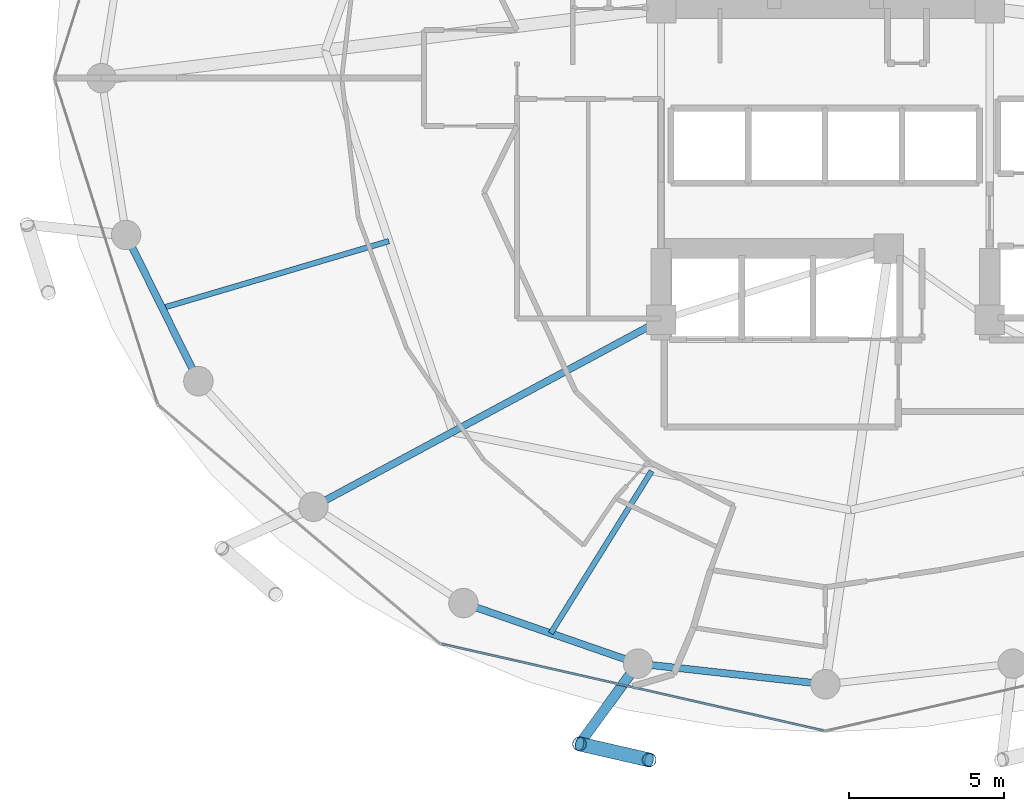
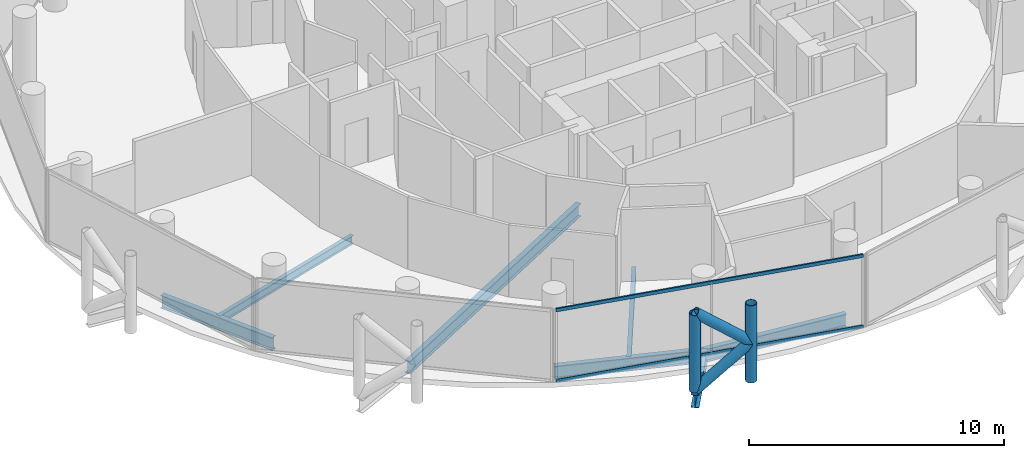
# One storey, part 3 of 26: 7 beams, 6 members, 1 element without a shape of its own.
"""IFC4 building model written with IfcOpenShell, lengths in metres."""

from ifc_helpers import new_model, si_unit, direction, frame, origin, origin_2d, place, context, subcontext, project, spatial, hollow_rectangle, hollow_circle, i_section, extrude, material, layer, layer_set, material_profile, profile_set, type_object, element, aggregate, save


model = new_model("IFC4")

# Units and contexts
model_context = context("Model", 3, precision=1e-05, world=origin(), true_north=direction((0.0, 1.0)))
body_context = subcontext(model_context, "Body", "Model", "MODEL_VIEW")
ifc_project = project(units=[si_unit("LENGTHUNIT", "METRE"), si_unit("AREAUNIT", "SQUARE_METRE"), si_unit("VOLUMEUNIT", "CUBIC_METRE"), si_unit("PLANEANGLEUNIT", "RADIAN"), si_unit("MASSUNIT", "GRAM", prefix="KILO")], contexts=[model_context])

# Site, building, storey
site_placement = place(None, origin())
site = spatial("IfcSite", under=ifc_project, at=site_placement, CompositionType="ELEMENT")
building_placement = place(site_placement, origin())
building = spatial("IfcBuilding", under=site, at=building_placement, Name="Nuhasar Tower", CompositionType="ELEMENT")
storey_placement = place(building_placement, frame((0.0, 0.0, 173.75)))
storey = spatial("IfcBuildingStorey", under=building, at=storey_placement, Name="L42", CompositionType="ELEMENT", Elevation=173.75)

# Beams
ifc_material_1 = material(Name="Steel S355", Category="steel")
ifc_material_profile_1 = material_profile(ifc_material_1, i_section(OverallWidth=0.177978515625, OverallDepth=0.406005859375, WebThickness=0.0078125, FlangeThickness=0.0126953125, at=origin_2d()), Name="W16X40")
ifc_profile_set_1 = profile_set([ifc_material_profile_1], Name="Steel S355")
beam_type_1 = type_object("IfcBeamType", Name="BM-JST-W16X40", PredefinedType="JOIST", material=ifc_profile_set_1)
beam_1_placement = place(storey_placement, frame((33.39697265625, 14.1279296875, -0.452880859375), z_axis=(-0.528139463011, -0.849157645912, 0.0), x_axis=(0.849157645912, -0.528139463011, 0.0)))
element("IfcBeam", 1, at=beam_1_placement, inside=storey, type_object=beam_type_1, Name="L42 Secondary Floor Joist 01", PredefinedType="JOIST", context=body_context, shape_type="SweptSolid", body=[
    extrude(i_section(OverallWidth=0.177978515625, OverallDepth=0.406005859375, WebThickness=0.0078125, FlangeThickness=0.0126953125, at=origin_2d()), origin(), (0.0, 0.0, 1.0), 6.164794921875),
])
beam_2_placement = place(storey_placement, frame((24.922119140625, 21.54296875, -0.452880859375), z_axis=(-0.959013356257, -0.283360869775, 0.0), x_axis=(0.283360869775, -0.959013356257, 0.0)))
element("IfcBeam", 2, at=beam_2_placement, inside=storey, type_object=beam_type_1, Name="L42 Secondary Floor Joist 08", PredefinedType="JOIST", context=body_context, shape_type="SweptSolid", body=[
    extrude(i_section(OverallWidth=0.177978515625, OverallDepth=0.406005859375, WebThickness=0.0078125, FlangeThickness=0.0126953125, at=origin_2d()), origin(), (0.0, 0.0, 1.0), 7.62255859375),
])
ifc_material_profile_2 = material_profile(ifc_material_1, i_section(OverallWidth=0.22900390625, OverallDepth=0.612060546875, WebThickness=0.011962890625, FlangeThickness=0.01953125, at=origin_2d()), Name="W24X84")
ifc_profile_set_2 = profile_set([ifc_material_profile_2], Name="Steel S355")
beam_type_2 = type_object("IfcBeamType", Name="BM-RAD-W24X84", PredefinedType="BEAM", material=ifc_profile_set_2)
beam_3_placement = place(storey_placement, frame((33.699951171875, 19.0, -0.555908203125), z_axis=(-0.880888386928, -0.473324043098, 0.0), x_axis=(0.473324043098, -0.880888386928, 0.0)))
element("IfcBeam", 3, at=beam_3_placement, inside=storey, type_object=beam_type_2, Name="L42 Radial Floor Girder 01", PredefinedType="BEAM", context=body_context, shape_type="SweptSolid", body=[
    extrude(i_section(OverallWidth=0.22900390625, OverallDepth=0.612060546875, WebThickness=0.011962890625, FlangeThickness=0.01953125, at=origin_2d()), origin(), (0.0, 0.0, 1.0), 12.726806640625),
])
ifc_material_profile_3 = material_profile(ifc_material_1, i_section(OverallWidth=0.22998046875, OverallDepth=0.616943359375, WebThickness=0.01318359375, FlangeThickness=0.022216796875, at=origin_2d()), Name="W24X94")
ifc_profile_set_3 = profile_set([ifc_material_profile_3], Name="Steel S355")
beam_type_3 = type_object("IfcBeamType", Name="BM-RING-W24X94", PredefinedType="SPANDREL", material=ifc_profile_set_3)
beam_4_placement = place(storey_placement, frame((16.446044921875, 21.739990234375, -0.55908203125), z_axis=(0.443329327657, -0.896358804966, 0.0), x_axis=(0.896358804966, 0.443329327657, 0.0)))
element("IfcBeam", 4, at=beam_4_placement, inside=storey, type_object=beam_type_3, Name="L42 Perimeter Ring Spandrel 14", PredefinedType="SPANDREL", context=body_context, shape_type="SweptSolid", body=[
    extrude(i_section(OverallWidth=0.22998046875, OverallDepth=0.616943359375, WebThickness=0.01318359375, FlangeThickness=0.022216796875, at=origin_2d()), origin(), (0.0, 0.0, 1.0), 5.26025390625),
])
beam_5_placement = place(storey_placement, frame((27.324951171875, 9.868896484375, -0.55908203125), z_axis=(0.944814057608, -0.327607076458, 0.0), x_axis=(0.327607076458, 0.944814057608, 0.0)))
element("IfcBeam", 5, at=beam_5_placement, inside=storey, type_object=beam_type_3, Name="L42 Perimeter Ring Spandrel 17", PredefinedType="SPANDREL", context=body_context, shape_type="SweptSolid", body=[
    extrude(i_section(OverallWidth=0.22998046875, OverallDepth=0.616943359375, WebThickness=0.01318359375, FlangeThickness=0.022216796875, at=origin_2d()), origin(), (0.0, 0.0, 1.0), 5.9609375),
])
beam_6_placement = place(storey_placement, frame((32.95703125, 7.916015625, -0.55908203125), z_axis=(0.993981289157, -0.109549974015, 0.0), x_axis=(0.109549974015, 0.993981289157, 0.0)))
element("IfcBeam", 6, at=beam_6_placement, inside=storey, type_object=beam_type_3, Name="L42 Perimeter Ring Spandrel 18", PredefinedType="SPANDREL", context=body_context, shape_type="SweptSolid", body=[
    extrude(i_section(OverallWidth=0.22998046875, OverallDepth=0.616943359375, WebThickness=0.01318359375, FlangeThickness=0.022216796875, at=origin_2d()), origin(), (0.0, 0.0, 1.0), 6.07958984375),
])
ifc_material_profile_4 = material_profile(ifc_material_1, i_section(OverallWidth=0.323974609375, OverallDepth=0.611083984375, WebThickness=0.0126953125, FlangeThickness=0.01904296875, at=origin_2d()), Name="W24X104")
ifc_profile_set_4 = profile_set([ifc_material_profile_4], Name="Steel S355")
beam_type_4 = type_object("IfcBeamType", Name="BM-TIE-W24X104", PredefinedType="BEAM", material=ifc_profile_set_4)
beam_7_placement = place(storey_placement, frame((32.95703125, 7.916015625, -0.554931640625), z_axis=(-0.588149050751, -0.808752554309, 0.0), x_axis=(0.808752554309, -0.588149050751, 0.0)))
element("IfcBeam", 7, at=beam_7_placement, inside=storey, type_object=beam_type_4, Name="L42 Exoskeleton Node Tie Beam 09", PredefinedType="BEAM", context=body_context, shape_type="SweptSolid", body=[
    extrude(i_section(OverallWidth=0.323974609375, OverallDepth=0.611083984375, WebThickness=0.0126953125, FlangeThickness=0.01904296875, at=origin_2d()), origin(), (0.0, 0.0, 1.0), 3.205078125),
])

# Curtain wall, members
ifc_material_2 = material(Name="Aluminium 6063-T6", Category="aluminium")
ifc_layer = layer(ifc_material_2, 0.199951171875)
ifc_layer_set = layer_set([ifc_layer], Name="Aluminium 6063-T6")
curtain_wall_type = type_object("IfcCurtainWallType", Name="CW-Z2-HTL", PredefinedType="NOTDEFINED", material=ifc_layer_set)
curtain_wall_placement = place(storey_placement, origin())
curtain_wall = element("IfcCurtainWall", 8, at=curtain_wall_placement, inside=storey, type_object=curtain_wall_type, Name="L42 Unitised Curtain Wall 09", PredefinedType="NOTDEFINED")
ifc_material_profile_5 = material_profile(ifc_material_2, hollow_rectangle(XDim=0.070068359375, YDim=0.159912109375, WallThickness=0.00439453125, at=origin_2d()), Name="CWT-3")
ifc_profile_set_5 = profile_set([ifc_material_profile_5], Name="Aluminium 6063-T6")
member_type_1 = type_object("IfcMemberType", Name="CW-TRN-S3", PredefinedType="USERDEFINED", material=ifc_profile_set_5)
member_1_placement = place(storey_placement, frame((26.63818359375, 8.54638671875, 0.034912109375), z_axis=(0.975187615691, -0.221380022142, 0.0), x_axis=(0.221380022142, 0.975187615691, 0.0)))
member_1 = element("IfcMember", 9, at=member_1_placement, type_object=member_type_1, Name="CW-Z2 transom 1.1", ObjectType="TRANSOM", PredefinedType="USERDEFINED", context=body_context, shape_type="SweptSolid", body=[
    extrude(hollow_rectangle(XDim=0.070068359375, YDim=0.159912109375, WallThickness=0.00439453125, at=origin_2d()), origin(), (0.0, 0.0, 1.0), 12.606201171875),
])
member_2_placement = place(storey_placement, frame((26.63818359375, 8.54638671875, 3.4150390625), z_axis=(0.975187615691, -0.221380022142, 0.0), x_axis=(0.221380022142, 0.975187615691, 0.0)))
member_2 = element("IfcMember", 10, at=member_2_placement, type_object=member_type_1, Name="CW-Z2 transom 1.2", ObjectType="TRANSOM", PredefinedType="USERDEFINED", context=body_context, shape_type="SweptSolid", body=[
    extrude(hollow_rectangle(XDim=0.070068359375, YDim=0.159912109375, WallThickness=0.00439453125, at=origin_2d()), origin(), (0.0, 0.0, 1.0), 12.606201171875),
])
aggregate(curtain_wall, [member_1, member_2])

# Members
ifc_material_3 = material(Name="Steel S460", Category="steel")
ifc_material_profile_6 = material_profile(ifc_material_3, hollow_circle(Radius=0.228515625, WallThickness=0.022216796875, at=origin_2d()), Name="HSS457X22.2")
ifc_profile_set_6 = profile_set([ifc_material_profile_6], Name="Steel S460")
member_type_2 = type_object("IfcMemberType", Name="EXO-BRONZE-457", PredefinedType="BRACE", material=ifc_profile_set_6)
for number, where, z_axis, x_axis, name in (
    (11, (31.072021484375, 5.323974609375, 0.0), (0.0, 0.0, 1.0), (1.0, 0.0, 0.0), "L42 Exoskeleton Chord Column EC-09A"),
    (12, (33.31396484375, 4.81005859375, 0.0), (0.0, 0.0, 1.0), (1.0, 0.0, 0.0), "L42 Exoskeleton Chord Column EC-09B"),
):
    element("IfcMember", number, at=place(storey_placement, frame(where, z_axis=z_axis, x_axis=x_axis)), inside=storey, type_object=member_type_2, Name=name, PredefinedType="BRACE", context=body_context, shape_type="SweptSolid", body=[
        extrude(hollow_circle(Radius=0.228515625, WallThickness=0.022216796875, at=origin_2d()), origin(), (0.0, 0.0, 1.0), 3.699951171875),
    ])
member_3_placement = place(storey_placement, frame((31.072021484375, 5.323974609375, 0.0), z_axis=(0.759510488094, -0.174101010284, 0.626763637022), x_axis=(0.223432882746, 0.974719316987, 0.0)))
element("IfcMember", 13, at=member_3_placement, inside=storey, type_object=member_type_2, Name="L42 Bronze Diagrid Brace W1-09", PredefinedType="BRACE", context=body_context, shape_type="SweptSolid", body=[
    extrude(hollow_circle(Radius=0.228515625, WallThickness=0.022216796875, at=origin_2d()), origin(), (0.0, 0.0, 1.0), 2.951904296875),
])
member_4_placement = place(storey_placement, frame((33.31396484375, 4.81005859375, 1.85009765625), z_axis=(-0.759549860492, 0.174110035537, 0.626713415327), x_axis=(-0.223432882746, -0.974719316987, 0.0)))
element("IfcMember", 14, at=member_4_placement, inside=storey, type_object=member_type_2, Name="L42 Bronze Diagrid Brace W2-09", PredefinedType="BRACE", context=body_context, shape_type="SweptSolid", body=[
    extrude(hollow_circle(Radius=0.228515625, WallThickness=0.022216796875, at=origin_2d()), origin(), (0.0, 0.0, 1.0), 2.95166015625),
])

save(model, "model.ifc")
